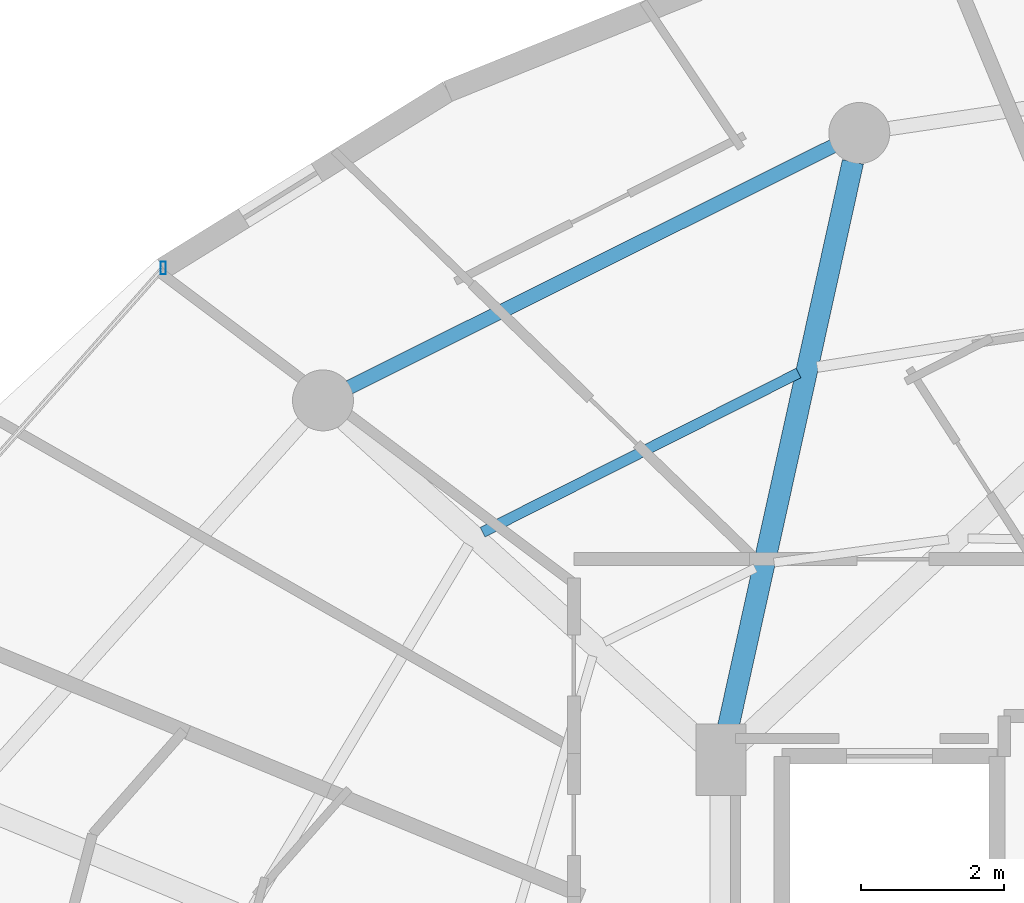
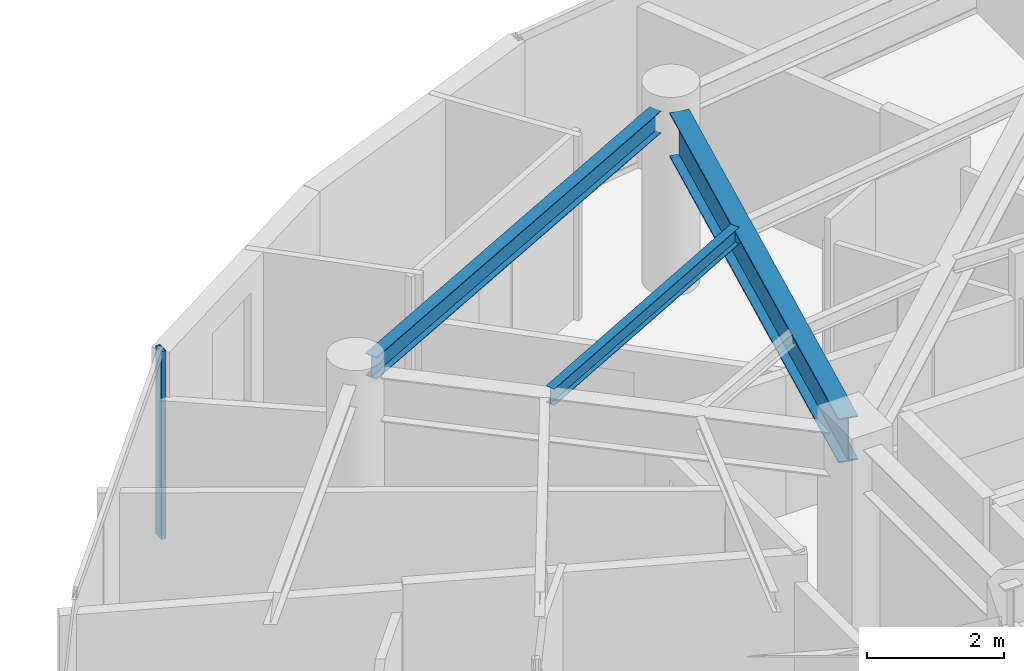
# One storey, part 16 of 30: 3 beams, 1 member, 1 element without a shape of its own.
"""IFC4 building model written with IfcOpenShell, lengths in metres."""

import ifcopenshell
import ifcopenshell.guid

model = None  # the IFC model being written
_history = None  # IfcOwnerHistory: only IFC2X3 demands one
_inside = {}  # id of a spatial element -> (the spatial element, [elements in it])
_under = {}  # id of a project, library or spatial element -> (it, [spatial elements below it])
_declared = {}  # id of a project -> (the project, [libraries it declares])
_typed = {}  # id of a type object -> (the type object, [elements of that type])
_made_of = {}  # id of a material, layer set ... -> (it, [elements and type objects made of it])


def new_model(schema):
    """Start an empty IFC model of exactly this schema.

    Asked for "IFC4X3", IfcOpenShell would pick the latest addendum, in which some entities
    have other attributes; the version numbers below select the first issue.
    IFC2X3 requires an IfcOwnerHistory on every rooted entity: one is made here for all.
    """
    global model, _history
    if schema == "IFC4X3":
        model = ifcopenshell.file(schema_version=(4, 3, 0, 0))
    else:
        model = ifcopenshell.file(schema=schema)
    _inside.clear()
    _under.clear()
    _declared.clear()
    _typed.clear()
    _made_of.clear()
    _history = None
    if model.schema == "IFC2X3":
        org = make("IfcOrganization", Name="unknown")
        user = make(
            "IfcPersonAndOrganization",
            ThePerson=make("IfcPerson", FamilyName="unknown"),
            TheOrganization=org,
        )
        app = make(
            "IfcApplication",
            ApplicationDeveloper=org,
            Version="unknown",
            ApplicationFullName="unknown",
            ApplicationIdentifier="unknown",
        )
        _history = make(
            "IfcOwnerHistory",
            OwningUser=user,
            OwningApplication=app,
            ChangeAction="ADDED",
            CreationDate=0,
        )
    return model


def make(cls, **values):
    """One entity of the class cls with the attributes given. An attribute that is None is left unset."""
    return model.create_entity(
        cls, **{name: value for name, value in values.items() if value is not None}
    )


def rooted(cls, **values):
    """An entity with a GlobalId (a new one), such as an element, a storey or a relation."""
    return make(cls, GlobalId=ifcopenshell.guid.new(), OwnerHistory=_history, **values)


def si_unit(unit_type, name, prefix=None):
    """IfcSIUnit, for example si_unit("LENGTHUNIT", "METRE", prefix="MILLI")."""
    return make("IfcSIUnit", UnitType=unit_type, Prefix=prefix, Name=name)


def assignment(units):
    """IfcUnitAssignment: the units of a project."""
    return None if units is None else make("IfcUnitAssignment", Units=units)


def point(xyz):
    """IfcCartesianPoint."""
    return None if xyz is None else make("IfcCartesianPoint", Coordinates=xyz)


def direction(xyz):
    """IfcDirection."""
    return None if xyz is None else make("IfcDirection", DirectionRatios=xyz)


def frame(location, z_axis=None, x_axis=None):
    """IfcAxis2Placement3D, a coordinate frame: its origin and axes. An axis left out is left unset."""
    return make(
        "IfcAxis2Placement3D",
        Location=point(location),
        Axis=direction(z_axis),
        RefDirection=direction(x_axis),
    )


def frame_2d(location, x_axis=None):
    """IfcAxis2Placement2D, a coordinate frame in the plane: its origin and x axis."""
    return make(
        "IfcAxis2Placement2D", Location=point(location), RefDirection=direction(x_axis)
    )


def origin():
    """The frame at (0, 0, 0) with its axes left unset."""
    return frame((0.0, 0.0, 0.0))


def origin_2d():
    """The frame at (0, 0) in the plane with its x axis left unset."""
    return frame_2d((0.0, 0.0))


def place(relative_to, where):
    """IfcLocalPlacement: puts the frame where relative to a parent placement (None: the world)."""
    return make(
        "IfcLocalPlacement", PlacementRelTo=relative_to, RelativePlacement=where
    )


def context(
    kind, dimensions, precision=None, world=None, true_north=None, identifier=None
):
    """IfcGeometricRepresentationContext, for example the 3D "Model" context."""
    return make(
        "IfcGeometricRepresentationContext",
        ContextIdentifier=identifier,
        ContextType=kind,
        CoordinateSpaceDimension=dimensions,
        Precision=precision,
        WorldCoordinateSystem=world,
        TrueNorth=true_north,
    )


def subcontext(parent, identifier, kind, view, scale=None):
    """IfcGeometricRepresentationSubContext, for example "Body" below "Model"."""
    return make(
        "IfcGeometricRepresentationSubContext",
        ContextIdentifier=identifier,
        ContextType=kind,
        ParentContext=parent,
        TargetScale=scale,
        TargetView=view,
    )


def project(units=None, contexts=None):
    """IfcProject with its units and contexts."""
    return rooted(
        "IfcProject",
        Name="project",
        RepresentationContexts=contexts,
        UnitsInContext=assignment(units),
    )


def spatial(cls, under=None, at=None, **own):
    """A site, building, storey or space (cls), placed at a placement, below another one or the project."""
    s = rooted(cls, ObjectPlacement=at, **own)
    if under is not None:
        _under.setdefault(under.id(), (under, []))[1].append(s)
    return s


def profile(cls, at=None, kind="AREA", **sizes):
    """A parametric profile (cls). Its sizes go by their IFC names, for example OverallWidth=200.0."""
    return make(cls, ProfileType=kind, Position=at, **sizes)


def hollow_rectangle(**sizes):
    """IfcRectangleHollowProfileDef."""
    return profile("IfcRectangleHollowProfileDef", **sizes)


def i_section(**sizes):
    """IfcIShapeProfileDef."""
    return profile("IfcIShapeProfileDef", **sizes)


def extrude(swept, where, along, depth):
    """IfcExtrudedAreaSolid: the profile swept, set in the frame where, extruded along a direction by depth."""
    return make(
        "IfcExtrudedAreaSolid",
        SweptArea=swept,
        Position=where,
        ExtrudedDirection=direction(along),
        Depth=depth,
    )


def shape(context_of_items, identifier, shape_type, items):
    """IfcShapeRepresentation: the items that make up one representation, for example the "Body"."""
    return make(
        "IfcShapeRepresentation",
        ContextOfItems=context_of_items,
        RepresentationIdentifier=identifier,
        RepresentationType=shape_type,
        Items=items,
    )


def material(Name=None, Category=None):
    """IfcMaterial."""
    return make("IfcMaterial", Name=Name, Category=Category)


def material_profile(
    of_material, cross_section, Name=None, Category=None, Priority=None
):
    """IfcMaterialProfile: a cross section and its material."""
    return make(
        "IfcMaterialProfile",
        Name=Name,
        Material=of_material,
        Profile=cross_section,
        Priority=Priority,
        Category=Category,
    )


def profile_set(profiles, Name=None, composite=None):
    """IfcMaterialProfileSet."""
    return make(
        "IfcMaterialProfileSet",
        Name=Name,
        MaterialProfiles=profiles,
        CompositeProfile=composite,
    )


def made_of(thing, what):
    """Note that an element or type object is made of a material, layer set ...; save() writes the relation."""
    if what is not None:
        _made_of.setdefault(what.id(), (what, []))[1].append(thing)
    return thing


def type_object(cls, material=None, **own):
    """A type object (cls), such as IfcWallType, which elements share."""
    return made_of(rooted(cls, **own), material)


def element(
    cls,
    number,
    at=None,
    inside=None,
    cuts=None,
    type_object=None,
    material=None,
    context=None,
    identifier="Body",
    shape_type=None,
    held_by="IfcProductDefinitionShape",
    body=None,
    shapes=None,
    **own,
):
    """One element of the class cls, such as IfcWall. Its Tag is "e" and its number.

    at: its placement. inside: the storey or other place that contains it. cuts: it is an
    opening in that element (IfcRelVoidsElement). A single representation is given by context,
    identifier, shape_type and body (its items); several are given by shapes. held_by: the class
    of the entity that holds the representations. save() writes the other relations.
    """
    e = rooted(cls, Tag="e%d" % number, ObjectPlacement=at, **own)
    if body is not None:
        shapes = [shape(context, identifier, shape_type, body)]
    if shapes is not None:
        e.Representation = make(held_by, Representations=shapes)
    if inside is not None:
        _inside.setdefault(inside.id(), (inside, []))[1].append(e)
    if cuts is not None:
        rooted(
            "IfcRelVoidsElement", RelatingBuildingElement=cuts, RelatedOpeningElement=e
        )
    if type_object is not None:
        _typed.setdefault(type_object.id(), (type_object, []))[1].append(e)
    return made_of(e, material)


def aggregate(whole, parts):
    """IfcRelAggregates: a whole, such as a stair, and the parts it consists of."""
    return rooted("IfcRelAggregates", RelatingObject=whole, RelatedObjects=parts)


def save(model, path):
    """Write the relations noted so far, then the file.

    IfcRelAggregates (storeys below a building ...), IfcRelContainedInSpatialStructure (elements
    in a storey), IfcRelDefinesByType, IfcRelAssociatesMaterial and IfcRelDeclares: one each for
    every whole, place, type object, material and project.
    """
    for whole, parts in _under.values():
        aggregate(whole, parts)
    for where, things in _inside.values():
        rooted(
            "IfcRelContainedInSpatialStructure",
            RelatedElements=things,
            RelatingStructure=where,
        )
    for kind, things in _typed.values():
        rooted("IfcRelDefinesByType", RelatedObjects=things, RelatingType=kind)
    for what, things in _made_of.values():
        rooted("IfcRelAssociatesMaterial", RelatedObjects=things, RelatingMaterial=what)
    for by, libraries in _declared.values():
        rooted("IfcRelDeclares", RelatingContext=by, RelatedDefinitions=libraries)
    model.write(path)


model = new_model("IFC4")

# Units and contexts
model_context = context("Model", 3, precision=1e-05, world=origin(), true_north=direction((0.0, 1.0)))
body_context = subcontext(model_context, "Body", "Model", "MODEL_VIEW")
ifc_project = project(units=[si_unit("LENGTHUNIT", "METRE"), si_unit("AREAUNIT", "SQUARE_METRE"), si_unit("VOLUMEUNIT", "CUBIC_METRE"), si_unit("PLANEANGLEUNIT", "RADIAN"), si_unit("MASSUNIT", "GRAM", prefix="KILO")], contexts=[model_context])

# Site, building, storey
site_placement = place(None, origin())
site = spatial("IfcSite", under=ifc_project, at=site_placement, CompositionType="ELEMENT")
building_placement = place(site_placement, origin())
building = spatial("IfcBuilding", under=site, at=building_placement, Name="Vorneva Point Tower", CompositionType="ELEMENT")
storey_placement = place(building_placement, frame((0.0, 0.0, 252.0)))
storey = spatial("IfcBuildingStorey", under=building, at=storey_placement, Name="L68", CompositionType="ELEMENT", Elevation=252.0)

# Beams
ifc_material_1 = material(Name="Steel S355", Category="steel")
ifc_material_profile_1 = material_profile(ifc_material_1, i_section(OverallWidth=0.300048828125, OverallDepth=0.7880859375, WebThickness=0.014404296875, FlangeThickness=0.02197265625, at=origin_2d()), Name="80Sh1")
ifc_profile_set_1 = profile_set([ifc_material_profile_1], Name="Steel S355")
beam_type_1 = type_object("IfcBeamType", Name="BM-GRD-80Sh1", PredefinedType="USERDEFINED", material=ifc_profile_set_1)
beam_1_placement = place(storey_placement, frame((29.090087890625, 41.4873046875, 2.89599609375), z_axis=(-0.215520742957, -0.976499262342, 0.0), x_axis=(0.976499262342, -0.215520742957, 0.0)))
element("IfcBeam", 1, at=beam_1_placement, inside=storey, type_object=beam_type_1, Name="L68 Radial Primary Girder 06", ObjectType="GIRDER", PredefinedType="USERDEFINED", context=body_context, shape_type="SweptSolid", body=[
    extrude(i_section(OverallWidth=0.300048828125, OverallDepth=0.7880859375, WebThickness=0.014404296875, FlangeThickness=0.02197265625, at=origin_2d()), origin(), (0.0, 0.0, 1.0), 8.197998046875),
])
ifc_material_profile_2 = material_profile(ifc_material_1, i_section(OverallWidth=0.14892578125, OverallDepth=0.298095703125, WebThickness=0.005615234375, FlangeThickness=0.008056640625, at=origin_2d()), Name="30B1")
ifc_profile_set_2 = profile_set([ifc_material_profile_2], Name="Steel S355")
beam_type_2 = type_object("IfcBeamType", Name="BM-JST-30B1", PredefinedType="JOIST", material=ifc_profile_set_2)
beam_2_placement = place(storey_placement, frame((28.330810546875, 38.54345703125, 3.14111328125), z_axis=(-0.893046523207, -0.449964340129, 0.0), x_axis=(0.449964340129, -0.893046523207, 0.0)))
element("IfcBeam", 2, at=beam_2_placement, inside=storey, type_object=beam_type_2, Name="L68 Secondary Floor Beam 1.06", PredefinedType="JOIST", context=body_context, shape_type="SweptSolid", body=[
    extrude(i_section(OverallWidth=0.14892578125, OverallDepth=0.298095703125, WebThickness=0.005615234375, FlangeThickness=0.008056640625, at=origin_2d()), origin(), (0.0, 0.0, 1.0), 4.930908203125),
])
ifc_material_profile_3 = material_profile(ifc_material_1, i_section(OverallWidth=0.198974609375, OverallDepth=0.39599609375, WebThickness=0.007080078125, FlangeThickness=0.010986328125, at=origin_2d()), Name="40B1")
ifc_profile_set_3 = profile_set([ifc_material_profile_3], Name="Steel S355")
beam_type_3 = type_object("IfcBeamType", Name="BM-SPN-40B1", PredefinedType="SPANDREL", material=ifc_profile_set_3)
beam_3_placement = place(storey_placement, frame((28.812255859375, 41.707763671875, 3.092041015625), z_axis=(-0.894932011528, -0.446202526599, 0.0), x_axis=(0.446202526599, -0.894932011528, 0.0)))
element("IfcBeam", 3, at=beam_3_placement, inside=storey, type_object=beam_type_3, Name="L68 Perimeter Spandrel Ring Beam 06", PredefinedType="SPANDREL", context=body_context, shape_type="SweptSolid", body=[
    extrude(i_section(OverallWidth=0.198974609375, OverallDepth=0.39599609375, WebThickness=0.007080078125, FlangeThickness=0.010986328125, at=origin_2d()), origin(), (0.0, 0.0, 1.0), 7.535888671875),
])

# Curtain wall, member
ifc_material_2 = material(Name="Pale anodised aluminium", Category="aluminium")
curtain_wall_type = type_object("IfcCurtainWallType", Name="CW-RES-SYS", PredefinedType="NOTDEFINED", material=ifc_material_2)
curtain_wall_placement = place(storey_placement, origin())
curtain_wall = element("IfcCurtainWall", 4, at=curtain_wall_placement, inside=storey, type_object=curtain_wall_type, Name="L68 Unitised Curtain Wall CW-L68-R03", PredefinedType="NOTDEFINED")
ifc_material_profile_4 = material_profile(ifc_material_2, hollow_rectangle(XDim=0.074951171875, YDim=0.179931640625, WallThickness=0.00390625, at=origin_2d()), Name="AL-MUL 180x75x4")
ifc_profile_set_4 = profile_set([ifc_material_profile_4], Name="Pale anodised aluminium")
member_type = type_object("IfcMemberType", Name="CW-MUL-180", PredefinedType="MULLION", material=ifc_profile_set_4)
member_placement = place(storey_placement, frame((19.473876953125, 40.0078125, -0.0400390625), z_axis=(0.0, 0.0, 1.0), x_axis=(1.0, 0.0, 0.0)))
member = element("IfcMember", 5, at=member_placement, type_object=member_type, Name="CW-L68-R03 Mullion 01", PredefinedType="MULLION", context=body_context, shape_type="SweptSolid", body=[
    extrude(hollow_rectangle(XDim=0.074951171875, YDim=0.179931640625, WallThickness=0.00390625, at=origin_2d()), origin(), (0.0, 0.0, 1.0), 3.360107421875),
])
aggregate(curtain_wall, [member])

save(model, "model.ifc")
